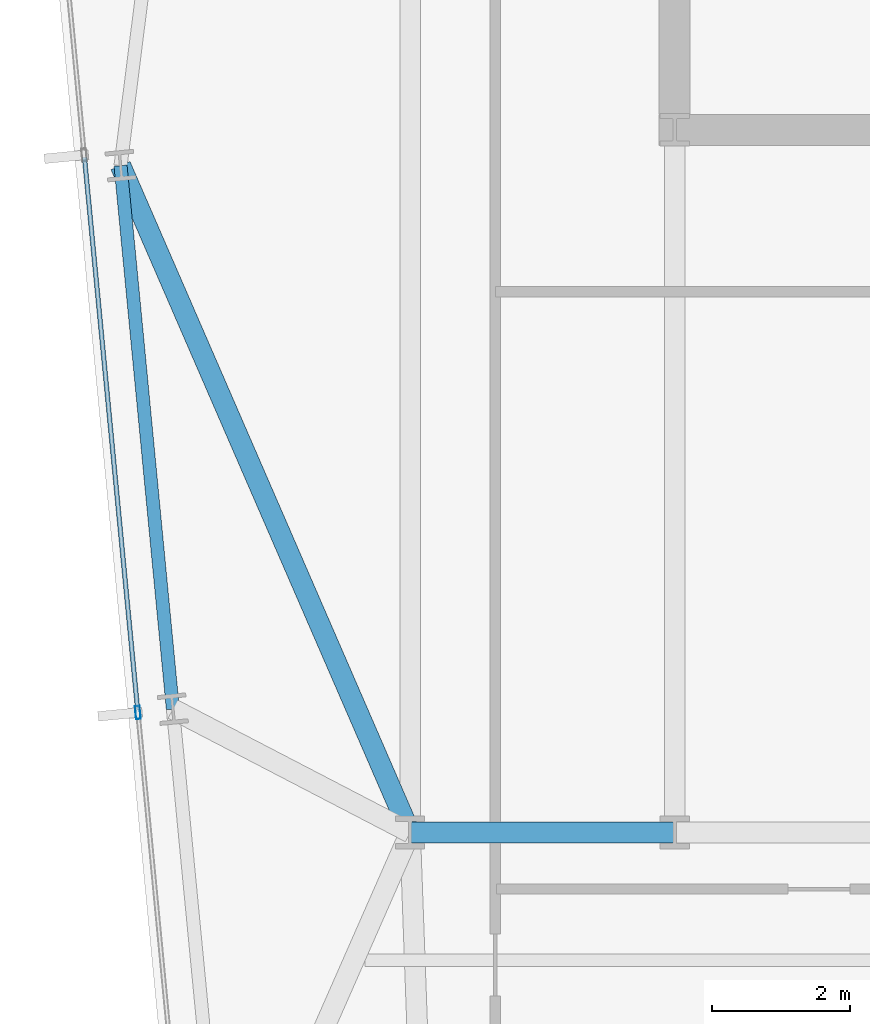
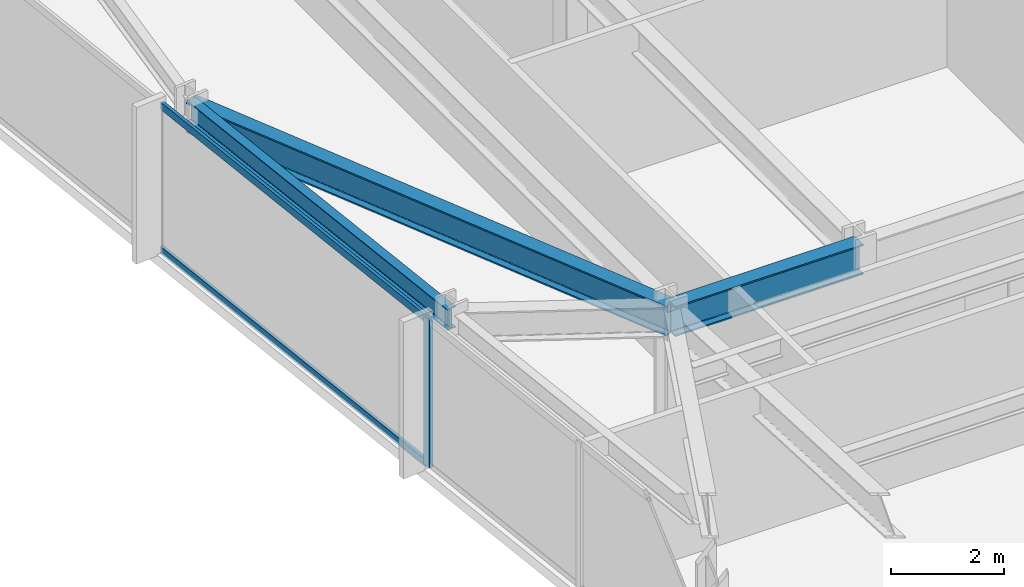
# One storey, part 6 of 32: 3 beams, 3 members, 1 element without a shape of its own.
"""IFC4 building model written with IfcOpenShell, lengths in metres."""

from ifc_helpers import new_model, si_unit, direction, frame, origin, origin_2d, place, context, subcontext, project, spatial, hollow_rectangle, i_section, extrude, material, material_profile, profile_set, type_object, element, aggregate, save


model = new_model("IFC4")

# Units and contexts
model_context = context("Model", 3, precision=1e-05, world=origin(), true_north=direction((0.0, 1.0)))
body_context = subcontext(model_context, "Body", "Model", "MODEL_VIEW")
ifc_project = project(units=[si_unit("LENGTHUNIT", "METRE"), si_unit("AREAUNIT", "SQUARE_METRE"), si_unit("VOLUMEUNIT", "CUBIC_METRE"), si_unit("PLANEANGLEUNIT", "RADIAN"), si_unit("MASSUNIT", "GRAM", prefix="KILO")], contexts=[model_context])

# Site, building, storey
site_placement = place(None, origin())
site = spatial("IfcSite", under=ifc_project, at=site_placement, CompositionType="ELEMENT")
building_placement = place(site_placement, origin())
building = spatial("IfcBuilding", under=site, at=building_placement, Name="Yelkora Congress Tower", CompositionType="ELEMENT")
storey_placement = place(building_placement, frame((0.0, 0.0, 96.5)))
storey = spatial("IfcBuildingStorey", under=building, at=storey_placement, Name="L25", CompositionType="ELEMENT", Elevation=96.5)

# Beams
ifc_material_1 = material(Name="Steel S355J2", Category="steel")
ifc_material_profile_1 = material_profile(ifc_material_1, i_section(OverallWidth=0.300048828125, OverallDepth=0.64990234375, WebThickness=0.01611328125, FlangeThickness=0.031005859375, FilletRadius=0.027099609375, at=origin_2d()), Name="HEB 650")
ifc_profile_set_1 = profile_set([ifc_material_profile_1], Name="Steel S355J2")
beam_type_1 = type_object("IfcBeamType", Name="BM-GIRD-HEB650", PredefinedType="BEAM", material=ifc_profile_set_1)
beam_1_placement = place(storey_placement, frame((19.199951171875, 25.199951171875, 2.85498046875), z_axis=(1.0, 0.0, 0.0), x_axis=(0.0, 1.0, 0.0)))
element("IfcBeam", 1, at=beam_1_placement, inside=storey, type_object=beam_type_1, Name="L25 Spine Grid D Girder 1", PredefinedType="BEAM", context=body_context, shape_type="SweptSolid", body=[
    extrude(i_section(OverallWidth=0.300048828125, OverallDepth=0.64990234375, WebThickness=0.01611328125, FlangeThickness=0.031005859375, FilletRadius=0.027099609375, at=origin_2d()), origin(), (0.0, 0.0, 1.0), 3.840087890625),
])
beam_2_placement = place(storey_placement, frame((14.997314453125, 34.87890625, 2.85498046875), z_axis=(0.398279362914, -0.917264165373, 0.0), x_axis=(0.917264165373, 0.398279362914, 0.0)))
element("IfcBeam", 2, at=beam_2_placement, inside=storey, type_object=beam_type_1, Name="L25 Primary Frame Girder W03", PredefinedType="BEAM", context=body_context, shape_type="SweptSolid", body=[
    extrude(i_section(OverallWidth=0.300048828125, OverallDepth=0.64990234375, WebThickness=0.01611328125, FlangeThickness=0.031005859375, FilletRadius=0.027099609375, at=origin_2d()), origin(), (0.0, 0.0, 1.0), 10.552001953125),
])
ifc_material_profile_2 = material_profile(ifc_material_1, i_section(OverallWidth=0.18994140625, OverallDepth=0.449951171875, WebThickness=0.009521484375, FlangeThickness=0.0146484375, FilletRadius=0.02099609375, at=origin_2d()), Name="IPE 450")
ifc_profile_set_2 = profile_set([ifc_material_profile_2], Name="Steel S355J2")
beam_type_2 = type_object("IfcBeamType", Name="BM-SPAN-IPE450", PredefinedType="SPANDREL", material=ifc_profile_set_2)
beam_3_placement = place(storey_placement, frame((14.997314453125, 34.87890625, 2.955078125), z_axis=(0.095870310714, -0.995393833376, 0.0), x_axis=(0.995393833376, 0.095870310714, 0.0)))
element("IfcBeam", 3, at=beam_3_placement, inside=storey, type_object=beam_type_2, Name="L25 Perimeter Beam 19", PredefinedType="SPANDREL", context=body_context, shape_type="SweptSolid", body=[
    extrude(i_section(OverallWidth=0.18994140625, OverallDepth=0.449951171875, WebThickness=0.009521484375, FlangeThickness=0.0146484375, FilletRadius=0.02099609375, at=origin_2d()), origin(), (0.0, 0.0, 1.0), 7.925048828125),
])

# Curtain wall, members
ifc_material_2 = material(Name="Anodised aluminium and insulated glass", Category="aluminium")
curtain_wall_type = type_object("IfcCurtainWallType", Name="CW-SYS-B2", PredefinedType="NOTDEFINED", material=ifc_material_2)
curtain_wall_placement = place(storey_placement, origin())
curtain_wall = element("IfcCurtainWall", 4, at=curtain_wall_placement, inside=storey, type_object=curtain_wall_type, Name="L25 Unitised Curtain Wall 5", PredefinedType="NOTDEFINED")
ifc_material_3 = material(Name="Anodised aluminium 6063-T6", Category="aluminium")
ifc_material_profile_3 = material_profile(ifc_material_3, hollow_rectangle(XDim=0.070068359375, YDim=0.18994140625, WallThickness=0.00390625, at=origin_2d()), Name="ALU 70x190x4")
ifc_profile_set_3 = profile_set([ifc_material_profile_3], Name="Anodised aluminium 6063-T6")
member_type_1 = type_object("IfcMemberType", Name="MEM-ML-B2", PredefinedType="MULLION", material=ifc_profile_set_3)
member_1_placement = place(storey_placement, frame((15.249267578125, 26.941650390625, 0.0), z_axis=(0.0, 0.0, 1.0), x_axis=(-0.995396507508, -0.095842541913, 0.0)))
member_1 = element("IfcMember", 5, at=member_1_placement, type_object=member_type_1, Name="CW-B2 mullion 3", PredefinedType="MULLION", context=body_context, shape_type="SweptSolid", body=[
    extrude(hollow_rectangle(XDim=0.070068359375, YDim=0.18994140625, WallThickness=0.00390625, at=origin_2d()), origin(), (0.0, 0.0, 1.0), 3.179931640625),
])
ifc_material_profile_4 = material_profile(ifc_material_3, hollow_rectangle(XDim=0.06494140625, YDim=0.159912109375, WallThickness=0.00390625, at=origin_2d()), Name="ALU 65x160x4")
ifc_profile_set_4 = profile_set([ifc_material_profile_4], Name="Anodised aluminium 6063-T6")
member_type_2 = type_object("IfcMemberType", Name="MEM-TR-B2", PredefinedType="USERDEFINED", material=ifc_profile_set_4)
member_2_placement = place(storey_placement, frame((15.245849609375, 26.976318359375, 0.032470703125), z_axis=(-0.095838228465, 0.995396922823, 0.0), x_axis=(-0.995396922823, -0.095838228465, 0.0)))
member_2 = element("IfcMember", 6, at=member_2_placement, type_object=member_type_2, Name="CW-B2 transom 3.1", ObjectType="TRANSOM", PredefinedType="USERDEFINED", context=body_context, shape_type="SweptSolid", body=[
    extrude(hollow_rectangle(XDim=0.06494140625, YDim=0.159912109375, WallThickness=0.00390625, at=origin_2d()), origin(), (0.0, 0.0, 1.0), 8.06005859375),
])
member_3_placement = place(storey_placement, frame((15.245849609375, 26.976318359375, 3.1474609375), z_axis=(-0.095838228465, 0.995396922823, 0.0), x_axis=(-0.995396922823, -0.095838228465, 0.0)))
member_3 = element("IfcMember", 7, at=member_3_placement, type_object=member_type_2, Name="CW-B2 transom 3.2", ObjectType="TRANSOM", PredefinedType="USERDEFINED", context=body_context, shape_type="SweptSolid", body=[
    extrude(hollow_rectangle(XDim=0.06494140625, YDim=0.159912109375, WallThickness=0.00390625, at=origin_2d()), origin(), (0.0, 0.0, 1.0), 8.06005859375),
])
aggregate(curtain_wall, [member_1, member_2, member_3])

save(model, "model.ifc")
